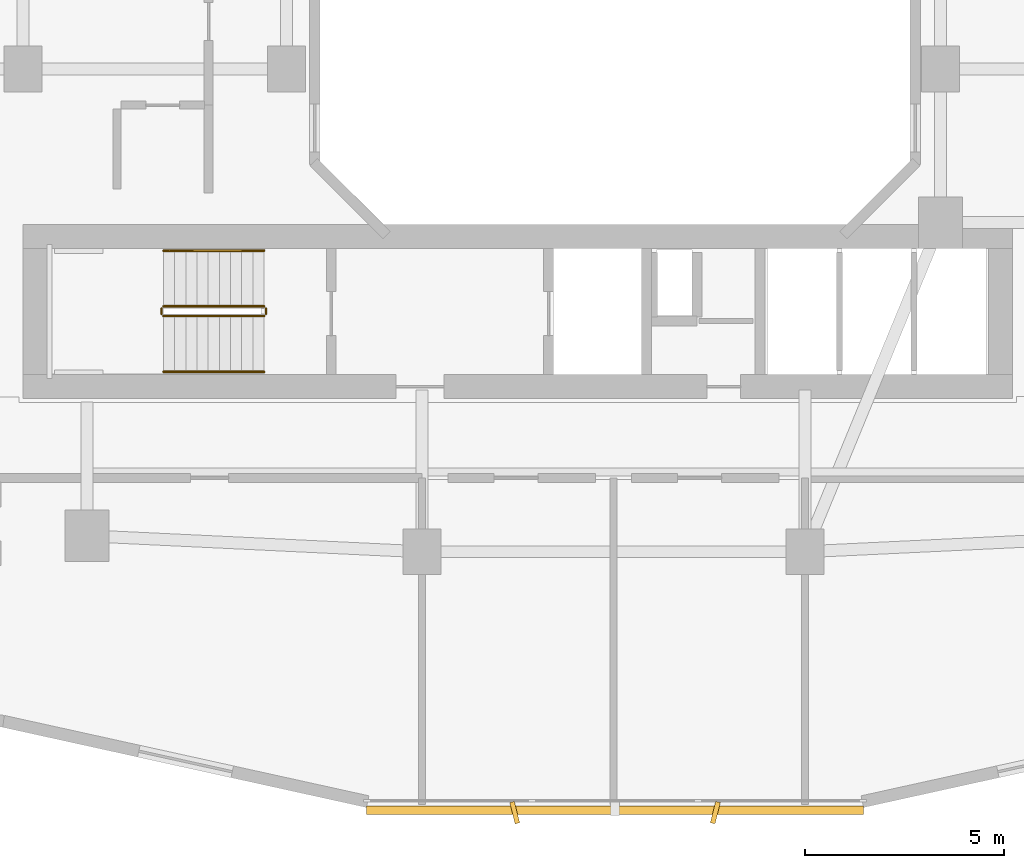
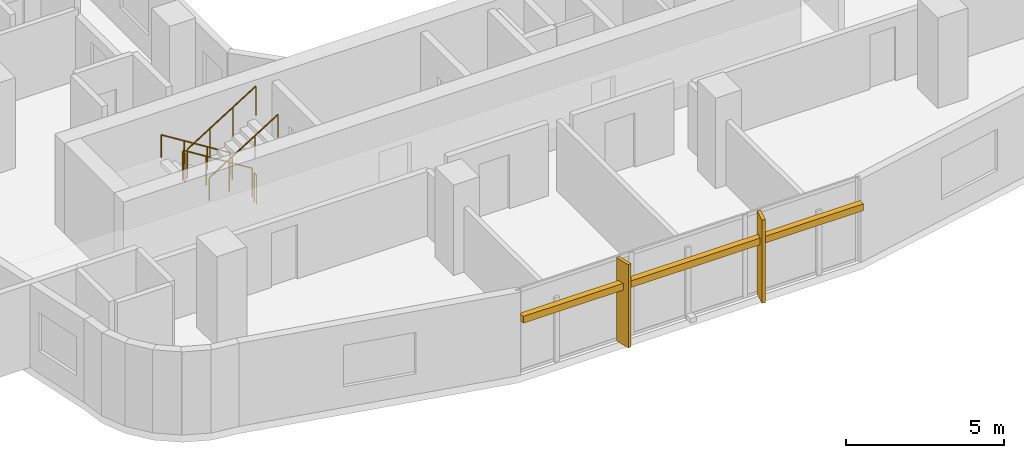
# One storey, part 22 of 26: 6 railings, 3 shading devices.
"""IFC4 building model written with IfcOpenShell, lengths in metres."""

from ifc_helpers import new_model, si_unit, derived_unit, direction, frame, origin, origin_2d, place, context, subcontext, project, spatial, rectangle, circle, extrude, material, type_object, element, save


model = new_model("IFC4")

# Units and contexts
model_context = context("Model", 3, precision=1e-05, world=origin(), true_north=direction((0.0, 1.0)))
body_context = subcontext(model_context, "Body", "Model", "MODEL_VIEW")
ifc_project = project(units=[si_unit("LENGTHUNIT", "METRE"), si_unit("AREAUNIT", "SQUARE_METRE"), si_unit("VOLUMEUNIT", "CUBIC_METRE"), si_unit("PLANEANGLEUNIT", "RADIAN"), si_unit("MASSUNIT", "GRAM", prefix="KILO"), derived_unit("THERMALTRANSMITTANCEUNIT", [(si_unit("POWERUNIT", "WATT"), 1), (si_unit("LENGTHUNIT", "METRE"), -2), (si_unit("THERMODYNAMICTEMPERATUREUNIT", "KELVIN"), -1)])], contexts=[model_context])

# Site, building, storey
site_placement = place(None, origin())
site = spatial("IfcSite", under=ifc_project, at=site_placement, CompositionType="ELEMENT")
building_placement = place(site_placement, origin())
building = spatial("IfcBuilding", under=site, at=building_placement, Name="Kivonza Crest Hotel", CompositionType="ELEMENT")
storey_placement = place(building_placement, frame((0.0, 0.0, 55.5)))
storey = spatial("IfcBuildingStorey", under=building, at=storey_placement, Name="L14", CompositionType="ELEMENT", Elevation=55.5)

# Railings
ifc_material_1 = material(Name="Brushed stainless steel handrail", Category="steel")
railing_type_1 = type_object("IfcRailingType", Name="RL-HAND-900", PredefinedType="HANDRAIL", material=ifc_material_1)
railing_1_placement = place(storey_placement, frame((12.239990234375, 16.949951171875, 0.175048828125)))
element("IfcRailing", 1, at=railing_1_placement, inside=storey, type_object=railing_type_1, Name="L14 ST-T1-S stair handrail 1", PredefinedType="HANDRAIL", context=body_context, shape_type="SweptSolid", body=[
    extrude(circle(Radius=0.02392578125, at=origin_2d()), frame((0.0, 0.0, 0.8759765625), z_axis=(-0.848007534815, 0.0, 0.529984170421), x_axis=(0.0, -1.0, 0.0)), (0.0, 0.0, 1.0), 2.9716796875),
    extrude(circle(Radius=0.02099609375, at=origin_2d()), origin(), (0.0, 0.0, 1.0), 0.851806640625),
    extrude(circle(Radius=0.02099609375, at=origin_2d()), frame((-0.840087890625, 0.0, 0.52490234375)), (0.0, 0.0, 1.0), 0.851806640625),
    extrude(circle(Radius=0.02099609375, at=origin_2d()), frame((-1.679931640625, 0.0, 1.050048828125)), (0.0, 0.0, 1.0), 0.851806640625),
    extrude(circle(Radius=0.02099609375, at=origin_2d()), frame((-2.52001953125, 0.0, 1.574951171875)), (0.0, 0.0, 1.0), 0.851806640625),
])
railing_2_placement = place(storey_placement, frame((9.719970703125, 13.909912109375, 1.925048828125)))
element("IfcRailing", 2, at=railing_2_placement, inside=storey, type_object=railing_type_1, Name="L14 ST-T1-S stair handrail 2", PredefinedType="HANDRAIL", context=body_context, shape_type="SweptSolid", body=[
    extrude(circle(Radius=0.02392578125, at=origin_2d()), frame((0.0, 0.0, 0.8759765625), z_axis=(0.848007534815, 0.0, 0.529984170421), x_axis=(0.0, 1.0, 0.0)), (0.0, 0.0, 1.0), 2.9716796875),
    extrude(circle(Radius=0.02099609375, at=origin_2d()), origin(), (0.0, 0.0, 1.0), 0.851806640625),
    extrude(circle(Radius=0.02099609375, at=origin_2d()), frame((0.840087890625, 0.0, 0.52490234375)), (0.0, 0.0, 1.0), 0.851806640625),
    extrude(circle(Radius=0.02099609375, at=origin_2d()), frame((1.679931640625, 0.0, 1.050048828125)), (0.0, 0.0, 1.0), 0.851806640625),
    extrude(circle(Radius=0.02099609375, at=origin_2d()), frame((2.52001953125, 0.0, 1.574951171875)), (0.0, 0.0, 1.0), 0.851806640625),
])
ifc_material_2 = material(Name="Painted steel balustrade", Category="steel")
railing_type_2 = type_object("IfcRailingType", Name="RL-STAIR-1150", PredefinedType="BALUSTRADE", material=ifc_material_2)
railing_3_placement = place(storey_placement, frame((12.239990234375, 15.550048828125, 0.175048828125)))
element("IfcRailing", 3, at=railing_3_placement, inside=storey, type_object=railing_type_2, Name="L14 ST-T1-S stair guard 1", PredefinedType="BALUSTRADE", context=body_context, shape_type="SweptSolid", body=[
    extrude(circle(Radius=0.02392578125, at=origin_2d()), frame((0.0, 0.0, 1.1259765625), z_axis=(-0.848007534815, 0.0, 0.529984170421), x_axis=(0.0, -1.0, 0.0)), (0.0, 0.0, 1.0), 2.9716796875),
    extrude(circle(Radius=0.02099609375, at=origin_2d()), origin(), (0.0, 0.0, 1.0), 1.101806640625),
    extrude(circle(Radius=0.02099609375, at=origin_2d()), frame((-0.840087890625, 0.0, 0.52490234375)), (0.0, 0.0, 1.0), 1.101806640625),
    extrude(circle(Radius=0.02099609375, at=origin_2d()), frame((-1.679931640625, 0.0, 1.050048828125)), (0.0, 0.0, 1.0), 1.101806640625),
    extrude(circle(Radius=0.02099609375, at=origin_2d()), frame((-2.52001953125, 0.0, 1.574951171875)), (0.0, 0.0, 1.0), 1.101806640625),
])
railing_4_placement = place(storey_placement, frame((9.669921875, 15.5, 1.75)))
element("IfcRailing", 4, at=railing_4_placement, inside=storey, type_object=railing_type_2, Name="L14 ST-T1-S stair guard 2", PredefinedType="BALUSTRADE", context=body_context, shape_type="SweptSolid", body=[
    extrude(circle(Radius=0.02392578125, at=origin_2d()), frame((0.0, 0.0, 1.1259765625), z_axis=(0.0, -1.0, 0.0), x_axis=(1.0, 0.0, 0.0)), (0.0, 0.0, 1.0), 0.139892578125),
    extrude(circle(Radius=0.02099609375, at=origin_2d()), origin(), (0.0, 0.0, 1.0), 1.101806640625),
    extrude(circle(Radius=0.02099609375, at=origin_2d()), frame((0.0, -0.139892578125, 0.0)), (0.0, 0.0, 1.0), 1.101806640625),
])
railing_5_placement = place(storey_placement, frame((9.719970703125, 15.31005859375, 1.925048828125)))
element("IfcRailing", 5, at=railing_5_placement, inside=storey, type_object=railing_type_2, Name="L14 ST-T1-S stair guard 3", PredefinedType="BALUSTRADE", context=body_context, shape_type="SweptSolid", body=[
    extrude(circle(Radius=0.02392578125, at=origin_2d()), frame((0.0, 0.0, 1.1259765625), z_axis=(0.848007534815, 0.0, 0.529984170421), x_axis=(0.0, 1.0, 0.0)), (0.0, 0.0, 1.0), 2.9716796875),
    extrude(circle(Radius=0.02099609375, at=origin_2d()), origin(), (0.0, 0.0, 1.0), 1.101806640625),
    extrude(circle(Radius=0.02099609375, at=origin_2d()), frame((0.840087890625, 0.0, 0.52490234375)), (0.0, 0.0, 1.0), 1.101806640625),
    extrude(circle(Radius=0.02099609375, at=origin_2d()), frame((1.679931640625, 0.0, 1.050048828125)), (0.0, 0.0, 1.0), 1.101806640625),
    extrude(circle(Radius=0.02099609375, at=origin_2d()), frame((2.52001953125, 0.0, 1.574951171875)), (0.0, 0.0, 1.0), 1.101806640625),
])
railing_6_placement = place(storey_placement, frame((12.2900390625, 15.5, 0.0)))
element("IfcRailing", 6, at=railing_6_placement, inside=storey, type_object=railing_type_2, Name="L14 ST-T1-S stair guard 4", PredefinedType="BALUSTRADE", context=body_context, shape_type="SweptSolid", body=[
    extrude(circle(Radius=0.02392578125, at=origin_2d()), frame((0.0, 0.0, 1.1259765625), z_axis=(0.0, -1.0, 0.0), x_axis=(1.0, 0.0, 0.0)), (0.0, 0.0, 1.0), 0.139892578125),
    extrude(circle(Radius=0.02099609375, at=origin_2d()), origin(), (0.0, 0.0, 1.0), 1.101806640625),
    extrude(circle(Radius=0.02099609375, at=origin_2d()), frame((0.0, -0.139892578125, 0.0)), (0.0, 0.0, 1.0), 1.101806640625),
])

# Shading devices
ifc_material_3 = material(Name="Kiln-fired Nairobi red-ochre terracotta", Category="masonry")
shading_device_type_1 = type_object("IfcShadingDeviceType", Name="SH-BAGUETTE-300", PredefinedType="USERDEFINED", material=ifc_material_3)
shading_device_placement = place(storey_placement, frame((21.0400390625, 2.919921875, 2.1240234375), z_axis=(0.0, 0.0, 1.0), x_axis=(1.0, 0.0, 0.0)))
element("IfcShadingDevice", 7, at=shading_device_placement, inside=storey, type_object=shading_device_type_1, Name="L14 terracotta baguette screen CW-T1-L14-08", ObjectType="BAGUETTE", PredefinedType="USERDEFINED", context=body_context, shape_type="SweptSolid", body=[
    extrude(rectangle(XDim=12.4560546875, YDim=0.219970703125, at=origin_2d()), origin(), (0.0, 0.0, 1.0), 0.260009765625),
])
ifc_material_4 = material(Name="Kiln-fired terracotta over extruded aluminium spine", Category="masonry")
shading_device_type_2 = type_object("IfcShadingDeviceType", Name="SH-FIN-550", PredefinedType="USERDEFINED", material=ifc_material_4)
for number, where, z_axis, x_axis, name in (
    (8, (18.52490234375, 2.860107421875, 0.0), (0.0, 0.0, 1.0), (0.970295726276, 0.2419218956, 0.0), "L14 vertical solar shading fin CW-T1-L14-08-1"),
    (9, (23.554931640625, 2.860107421875, 0.0), (0.0, 0.0, 1.0), (0.970295726276, -0.2419218956, 0.0), "L14 vertical solar shading fin CW-T1-L14-08-2"),
):
    element("IfcShadingDevice", number, at=place(storey_placement, frame(where, z_axis=z_axis, x_axis=x_axis)), inside=storey, type_object=shading_device_type_2, Name=name, ObjectType="FIN", PredefinedType="USERDEFINED", context=body_context, shape_type="SweptSolid", body=[
        extrude(rectangle(XDim=0.1201171875, YDim=0.550048828125, at=origin_2d()), origin(), (0.0, 0.0, 1.0), 3.219970703125),
    ])

save(model, "model.ifc")
